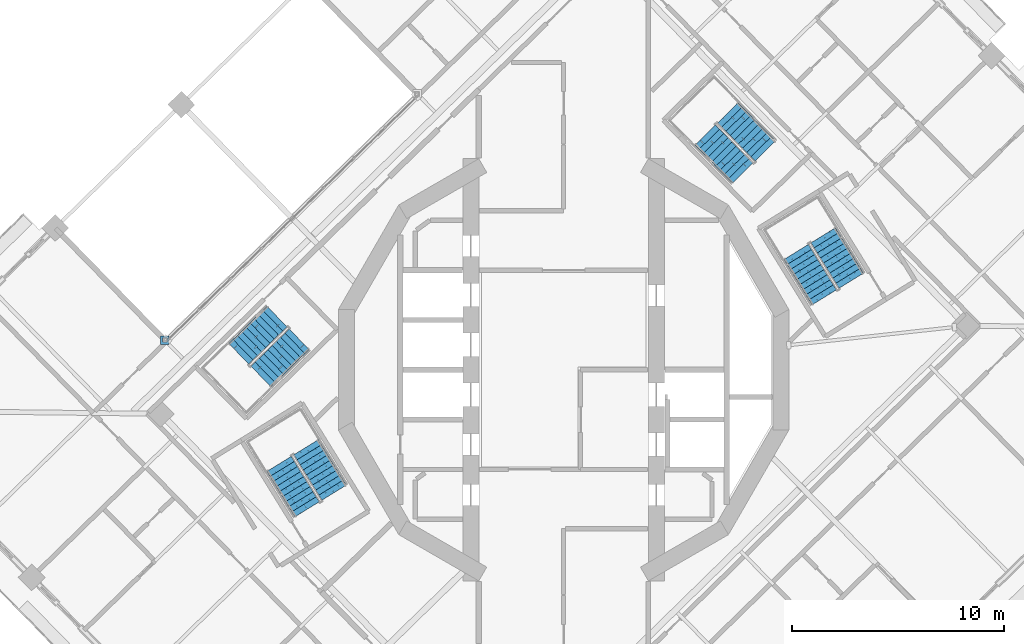
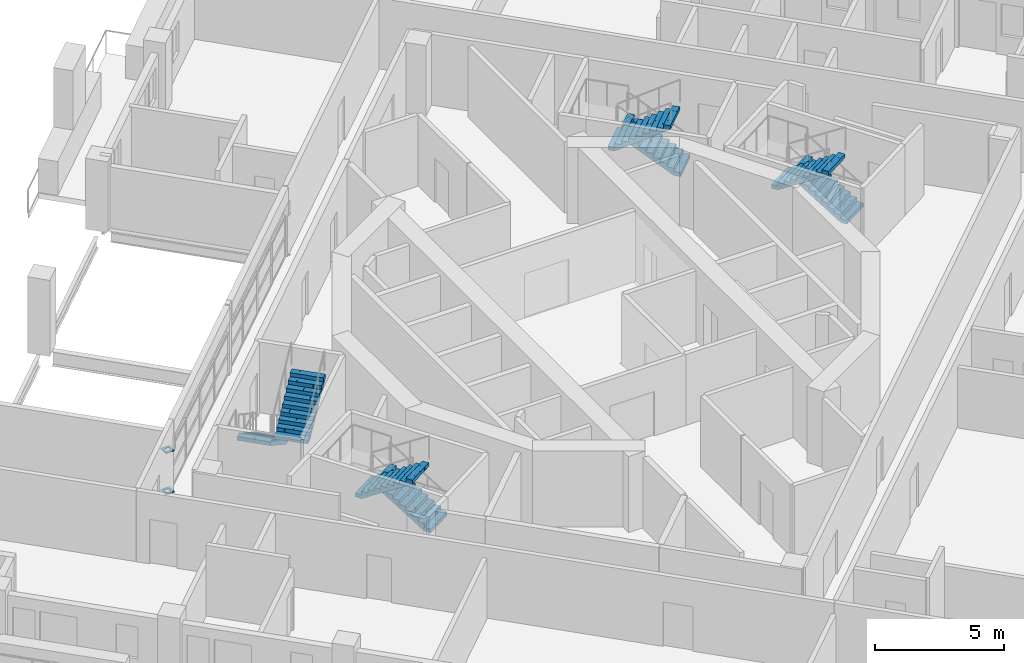
# One storey, part 14 of 21: 8 stair flights, 2 discrete accessories, 4 elements without a shape of their own.
"""IFC4 building model written with IfcOpenShell, lengths in metres."""

from ifc_helpers import new_model, si_unit, direction, frame, origin, place, context, subcontext, project, spatial, polyline, outline, extrude, material, layer, layer_set, type_object, element, aggregate, save


model = new_model("IFC4")

# Units and contexts
model_context = context("Model", 3, precision=1e-05, world=origin(), true_north=direction((0.0, 1.0)))
body_context = subcontext(model_context, "Body", "Model", "MODEL_VIEW")
ifc_project = project(units=[si_unit("LENGTHUNIT", "METRE"), si_unit("AREAUNIT", "SQUARE_METRE"), si_unit("VOLUMEUNIT", "CUBIC_METRE"), si_unit("PLANEANGLEUNIT", "RADIAN"), si_unit("MASSUNIT", "GRAM", prefix="KILO")], contexts=[model_context])

# Site, building, storey
site_placement = place(None, origin())
site = spatial("IfcSite", under=ifc_project, at=site_placement, CompositionType="ELEMENT")
building_placement = place(site_placement, origin())
building = spatial("IfcBuilding", under=site, at=building_placement, Name="Cantera Rosa Tower", CompositionType="ELEMENT")
storey_placement = place(building_placement, frame((0.0, 0.0, 230.60009765625)))
storey = spatial("IfcBuildingStorey", under=building, at=storey_placement, Name="L50", CompositionType="ELEMENT", Elevation=230.60009765625)

# Stair, stair flights
ifc_material_1 = material(Name="Concrete C35/45", Category="concrete")
stair_type = type_object("IfcStairType", Name="EXIT STAIR 1350 DOGLEG", PredefinedType="HALF_TURN_STAIR", material=ifc_material_1)
stair_1_placement = place(storey_placement, origin())
stair_1 = element("IfcStair", 1, at=stair_1_placement, inside=storey, type_object=stair_type, Name="L50 ST-41", PredefinedType="HALF_TURN_STAIR")
ifc_material_2 = material(Name="Concrete C35/45", Category="concrete")
stair_flight_type = type_object("IfcStairFlightType", Name="STAIR FLIGHT 1350 R20x180", PredefinedType="STRAIGHT", material=ifc_material_2)
stair_flight_1_placement = place(storey_placement, frame((13.5732421875, 4.2021484375, 0.0), z_axis=(0.0, 0.0, 1.0), x_axis=(-0.524976585286, 0.851116669383, 0.0)))
stair_flight_1 = element("IfcStairFlight", 2, at=stair_flight_1_placement, type_object=stair_flight_type, Name="ST-41 flight 1", NumberOfRisers=10, NumberOfTreads=9, PredefinedType="STRAIGHT", RiserHeight=0.18, TreadLength=0.28, context=body_context, shape_type="SweptSolid", body=[
    extrude(outline(polyline([(0.0, 0.0), (0.0, 0.179931640625), (0.280029296875, 0.179931640625), (0.280029296875, 0.360107421875), (0.56005859375, 0.360107421875), (0.56005859375, 0.5400390625), (0.840087890625, 0.5400390625), (0.840087890625, 0.719970703125), (1.1201171875, 0.719970703125), (1.1201171875, 0.89990234375), (1.39990234375, 0.89990234375), (1.39990234375, 1.080078125), (1.679931640625, 1.080078125), (1.679931640625, 1.260009765625), (1.9599609375, 1.260009765625), (1.9599609375, 1.43994140625), (2.239990234375, 1.43994140625), (2.239990234375, 1.6201171875), (2.52001953125, 1.6201171875), (2.52001953125, 1.800048828125), (2.52001953125, 1.44189453125), (0.277099609375, 0.0), (0.0, 0.0)])), frame((0.0, 0.675048828125, 0.0), z_axis=(0.0, -1.0, 0.0), x_axis=(1.0, 0.0, 0.0)), (0.0, 0.0, 1.0), 0.3359375),
    extrude(outline(polyline([(0.0, 0.0), (0.0, 0.179931640625), (0.280029296875, 0.179931640625), (0.280029296875, 0.360107421875), (0.56005859375, 0.360107421875), (0.56005859375, 0.5400390625), (0.840087890625, 0.5400390625), (0.840087890625, 0.719970703125), (1.1201171875, 0.719970703125), (1.1201171875, 0.89990234375), (1.39990234375, 0.89990234375), (1.39990234375, 1.080078125), (1.679931640625, 1.080078125), (1.679931640625, 1.260009765625), (1.9599609375, 1.260009765625), (1.9599609375, 1.43994140625), (2.239990234375, 1.43994140625), (2.239990234375, 1.6201171875), (2.52001953125, 1.6201171875), (2.52001953125, 1.800048828125), (2.52001953125, 1.44189453125), (0.277099609375, 0.0), (0.0, 0.0)])), frame((0.0, 0.337158203125, 0.0), z_axis=(0.0, -1.0, 0.0), x_axis=(1.0, 0.0, 0.0)), (0.0, 0.0, 1.0), 0.3359375),
    extrude(outline(polyline([(0.0, 0.0), (0.0, 0.179931640625), (0.280029296875, 0.179931640625), (0.280029296875, 0.360107421875), (0.56005859375, 0.360107421875), (0.56005859375, 0.5400390625), (0.840087890625, 0.5400390625), (0.840087890625, 0.719970703125), (1.1201171875, 0.719970703125), (1.1201171875, 0.89990234375), (1.39990234375, 0.89990234375), (1.39990234375, 1.080078125), (1.679931640625, 1.080078125), (1.679931640625, 1.260009765625), (1.9599609375, 1.260009765625), (1.9599609375, 1.43994140625), (2.239990234375, 1.43994140625), (2.239990234375, 1.6201171875), (2.52001953125, 1.6201171875), (2.52001953125, 1.800048828125), (2.52001953125, 1.44189453125), (0.277099609375, 0.0), (0.0, 0.0)])), frame((0.0, -0.000732421875, 0.0), z_axis=(0.0, -1.0, 0.0), x_axis=(1.0, 0.0, 0.0)), (0.0, 0.0, 1.0), 0.3359375),
    extrude(outline(polyline([(0.0, 0.0), (0.0, 0.179931640625), (0.280029296875, 0.179931640625), (0.280029296875, 0.360107421875), (0.56005859375, 0.360107421875), (0.56005859375, 0.5400390625), (0.840087890625, 0.5400390625), (0.840087890625, 0.719970703125), (1.1201171875, 0.719970703125), (1.1201171875, 0.89990234375), (1.39990234375, 0.89990234375), (1.39990234375, 1.080078125), (1.679931640625, 1.080078125), (1.679931640625, 1.260009765625), (1.9599609375, 1.260009765625), (1.9599609375, 1.43994140625), (2.239990234375, 1.43994140625), (2.239990234375, 1.6201171875), (2.52001953125, 1.6201171875), (2.52001953125, 1.800048828125), (2.52001953125, 1.44189453125), (0.277099609375, 0.0), (0.0, 0.0)])), frame((0.0, -0.338623046875, 0.0), z_axis=(0.0, -1.0, 0.0), x_axis=(1.0, 0.0, 0.0)), (0.0, 0.0, 1.0), 0.3359375),
])
stair_flight_2_placement = place(storey_placement, frame((10.9736328125, 5.5595703125, 1.7998046875), z_axis=(0.0, 0.0, 1.0), x_axis=(0.524976585286, -0.851116669383, 0.0)))
stair_flight_2 = element("IfcStairFlight", 3, at=stair_flight_2_placement, type_object=stair_flight_type, Name="ST-41 flight 2", NumberOfRisers=10, NumberOfTreads=9, PredefinedType="STRAIGHT", RiserHeight=0.18, TreadLength=0.28, context=body_context, shape_type="SweptSolid", body=[
    extrude(outline(polyline([(0.0, 0.0), (0.0, 0.179931640625), (0.280029296875, 0.179931640625), (0.280029296875, 0.360107421875), (0.56005859375, 0.360107421875), (0.56005859375, 0.5400390625), (0.840087890625, 0.5400390625), (0.840087890625, 0.719970703125), (1.1201171875, 0.719970703125), (1.1201171875, 0.89990234375), (1.39990234375, 0.89990234375), (1.39990234375, 1.080078125), (1.679931640625, 1.080078125), (1.679931640625, 1.260009765625), (1.9599609375, 1.260009765625), (1.9599609375, 1.43994140625), (2.239990234375, 1.43994140625), (2.239990234375, 1.6201171875), (2.52001953125, 1.6201171875), (2.52001953125, 1.800048828125), (2.52001953125, 1.44189453125), (0.277099609375, 0.0), (0.0, 0.0)])), frame((0.0, 0.675048828125, 0.0), z_axis=(0.0, -1.0, 0.0), x_axis=(1.0, 0.0, 0.0)), (0.0, 0.0, 1.0), 0.3359375),
    extrude(outline(polyline([(0.0, 0.0), (0.0, 0.179931640625), (0.280029296875, 0.179931640625), (0.280029296875, 0.360107421875), (0.56005859375, 0.360107421875), (0.56005859375, 0.5400390625), (0.840087890625, 0.5400390625), (0.840087890625, 0.719970703125), (1.1201171875, 0.719970703125), (1.1201171875, 0.89990234375), (1.39990234375, 0.89990234375), (1.39990234375, 1.080078125), (1.679931640625, 1.080078125), (1.679931640625, 1.260009765625), (1.9599609375, 1.260009765625), (1.9599609375, 1.43994140625), (2.239990234375, 1.43994140625), (2.239990234375, 1.6201171875), (2.52001953125, 1.6201171875), (2.52001953125, 1.800048828125), (2.52001953125, 1.44189453125), (0.277099609375, 0.0), (0.0, 0.0)])), frame((0.0, 0.337158203125, 0.0), z_axis=(0.0, -1.0, 0.0), x_axis=(1.0, 0.0, 0.0)), (0.0, 0.0, 1.0), 0.3359375),
    extrude(outline(polyline([(0.0, 0.0), (0.0, 0.179931640625), (0.280029296875, 0.179931640625), (0.280029296875, 0.360107421875), (0.56005859375, 0.360107421875), (0.56005859375, 0.5400390625), (0.840087890625, 0.5400390625), (0.840087890625, 0.719970703125), (1.1201171875, 0.719970703125), (1.1201171875, 0.89990234375), (1.39990234375, 0.89990234375), (1.39990234375, 1.080078125), (1.679931640625, 1.080078125), (1.679931640625, 1.260009765625), (1.9599609375, 1.260009765625), (1.9599609375, 1.43994140625), (2.239990234375, 1.43994140625), (2.239990234375, 1.6201171875), (2.52001953125, 1.6201171875), (2.52001953125, 1.800048828125), (2.52001953125, 1.44189453125), (0.277099609375, 0.0), (0.0, 0.0)])), frame((0.0, -0.000732421875, 0.0), z_axis=(0.0, -1.0, 0.0), x_axis=(1.0, 0.0, 0.0)), (0.0, 0.0, 1.0), 0.3359375),
    extrude(outline(polyline([(0.0, 0.0), (0.0, 0.179931640625), (0.280029296875, 0.179931640625), (0.280029296875, 0.360107421875), (0.56005859375, 0.360107421875), (0.56005859375, 0.5400390625), (0.840087890625, 0.5400390625), (0.840087890625, 0.719970703125), (1.1201171875, 0.719970703125), (1.1201171875, 0.89990234375), (1.39990234375, 0.89990234375), (1.39990234375, 1.080078125), (1.679931640625, 1.080078125), (1.679931640625, 1.260009765625), (1.9599609375, 1.260009765625), (1.9599609375, 1.43994140625), (2.239990234375, 1.43994140625), (2.239990234375, 1.6201171875), (2.52001953125, 1.6201171875), (2.52001953125, 1.800048828125), (2.52001953125, 1.44189453125), (0.277099609375, 0.0), (0.0, 0.0)])), frame((0.0, -0.338623046875, 0.0), z_axis=(0.0, -1.0, 0.0), x_axis=(1.0, 0.0, 0.0)), (0.0, 0.0, 1.0), 0.3359375),
])
aggregate(stair_1, [stair_flight_1, stair_flight_2])

stair_2_placement = place(storey_placement, origin())
stair_2 = element("IfcStair", 4, at=stair_2_placement, inside=storey, type_object=stair_type, Name="L50 ST-42", PredefinedType="HALF_TURN_STAIR")
stair_flight_3_placement = place(storey_placement, frame((9.514892578125, 10.32275390625, 0.0), z_axis=(0.0, 0.0, 1.0), x_axis=(-0.698831536207, 0.715286295132, 0.0)))
stair_flight_3 = element("IfcStairFlight", 5, at=stair_flight_3_placement, type_object=stair_flight_type, Name="ST-42 flight 1", NumberOfRisers=10, NumberOfTreads=9, PredefinedType="STRAIGHT", RiserHeight=0.18, TreadLength=0.28, context=body_context, shape_type="SweptSolid", body=[
    extrude(outline(polyline([(0.0, 0.0), (0.0, 0.179931640625), (0.280029296875, 0.179931640625), (0.280029296875, 0.360107421875), (0.56005859375, 0.360107421875), (0.56005859375, 0.5400390625), (0.840087890625, 0.5400390625), (0.840087890625, 0.719970703125), (1.1201171875, 0.719970703125), (1.1201171875, 0.89990234375), (1.39990234375, 0.89990234375), (1.39990234375, 1.080078125), (1.679931640625, 1.080078125), (1.679931640625, 1.260009765625), (1.9599609375, 1.260009765625), (1.9599609375, 1.43994140625), (2.239990234375, 1.43994140625), (2.239990234375, 1.6201171875), (2.52001953125, 1.6201171875), (2.52001953125, 1.800048828125), (2.52001953125, 1.44189453125), (0.277099609375, 0.0), (0.0, 0.0)])), frame((0.0, 0.675048828125, 0.0), z_axis=(0.0, -1.0, 0.0), x_axis=(1.0, 0.0, 0.0)), (0.0, 0.0, 1.0), 0.3359375),
    extrude(outline(polyline([(0.0, 0.0), (0.0, 0.179931640625), (0.280029296875, 0.179931640625), (0.280029296875, 0.360107421875), (0.56005859375, 0.360107421875), (0.56005859375, 0.5400390625), (0.840087890625, 0.5400390625), (0.840087890625, 0.719970703125), (1.1201171875, 0.719970703125), (1.1201171875, 0.89990234375), (1.39990234375, 0.89990234375), (1.39990234375, 1.080078125), (1.679931640625, 1.080078125), (1.679931640625, 1.260009765625), (1.9599609375, 1.260009765625), (1.9599609375, 1.43994140625), (2.239990234375, 1.43994140625), (2.239990234375, 1.6201171875), (2.52001953125, 1.6201171875), (2.52001953125, 1.800048828125), (2.52001953125, 1.44189453125), (0.277099609375, 0.0), (0.0, 0.0)])), frame((0.0, 0.337158203125, 0.0), z_axis=(0.0, -1.0, 0.0), x_axis=(1.0, 0.0, 0.0)), (0.0, 0.0, 1.0), 0.3359375),
    extrude(outline(polyline([(0.0, 0.0), (0.0, 0.179931640625), (0.280029296875, 0.179931640625), (0.280029296875, 0.360107421875), (0.56005859375, 0.360107421875), (0.56005859375, 0.5400390625), (0.840087890625, 0.5400390625), (0.840087890625, 0.719970703125), (1.1201171875, 0.719970703125), (1.1201171875, 0.89990234375), (1.39990234375, 0.89990234375), (1.39990234375, 1.080078125), (1.679931640625, 1.080078125), (1.679931640625, 1.260009765625), (1.9599609375, 1.260009765625), (1.9599609375, 1.43994140625), (2.239990234375, 1.43994140625), (2.239990234375, 1.6201171875), (2.52001953125, 1.6201171875), (2.52001953125, 1.800048828125), (2.52001953125, 1.44189453125), (0.277099609375, 0.0), (0.0, 0.0)])), frame((0.0, -0.000732421875, 0.0), z_axis=(0.0, -1.0, 0.0), x_axis=(1.0, 0.0, 0.0)), (0.0, 0.0, 1.0), 0.3359375),
    extrude(outline(polyline([(0.0, 0.0), (0.0, 0.179931640625), (0.280029296875, 0.179931640625), (0.280029296875, 0.360107421875), (0.56005859375, 0.360107421875), (0.56005859375, 0.5400390625), (0.840087890625, 0.5400390625), (0.840087890625, 0.719970703125), (1.1201171875, 0.719970703125), (1.1201171875, 0.89990234375), (1.39990234375, 0.89990234375), (1.39990234375, 1.080078125), (1.679931640625, 1.080078125), (1.679931640625, 1.260009765625), (1.9599609375, 1.260009765625), (1.9599609375, 1.43994140625), (2.239990234375, 1.43994140625), (2.239990234375, 1.6201171875), (2.52001953125, 1.6201171875), (2.52001953125, 1.800048828125), (2.52001953125, 1.44189453125), (0.277099609375, 0.0), (0.0, 0.0)])), frame((0.0, -0.338623046875, 0.0), z_axis=(0.0, -1.0, 0.0), x_axis=(1.0, 0.0, 0.0)), (0.0, 0.0, 1.0), 0.3359375),
])
stair_flight_4_placement = place(storey_placement, frame((6.680908203125, 11.076904296875, 1.7998046875), z_axis=(0.0, 0.0, 1.0), x_axis=(0.698831536207, -0.715286295132, 0.0)))
stair_flight_4 = element("IfcStairFlight", 6, at=stair_flight_4_placement, type_object=stair_flight_type, Name="ST-42 flight 2", NumberOfRisers=10, NumberOfTreads=9, PredefinedType="STRAIGHT", RiserHeight=0.18, TreadLength=0.28, context=body_context, shape_type="SweptSolid", body=[
    extrude(outline(polyline([(0.0, 0.0), (0.0, 0.179931640625), (0.280029296875, 0.179931640625), (0.280029296875, 0.360107421875), (0.56005859375, 0.360107421875), (0.56005859375, 0.5400390625), (0.840087890625, 0.5400390625), (0.840087890625, 0.719970703125), (1.1201171875, 0.719970703125), (1.1201171875, 0.89990234375), (1.39990234375, 0.89990234375), (1.39990234375, 1.080078125), (1.679931640625, 1.080078125), (1.679931640625, 1.260009765625), (1.9599609375, 1.260009765625), (1.9599609375, 1.43994140625), (2.239990234375, 1.43994140625), (2.239990234375, 1.6201171875), (2.52001953125, 1.6201171875), (2.52001953125, 1.800048828125), (2.52001953125, 1.44189453125), (0.277099609375, 0.0), (0.0, 0.0)])), frame((0.0, 0.675048828125, 0.0), z_axis=(0.0, -1.0, 0.0), x_axis=(1.0, 0.0, 0.0)), (0.0, 0.0, 1.0), 0.3359375),
    extrude(outline(polyline([(0.0, 0.0), (0.0, 0.179931640625), (0.280029296875, 0.179931640625), (0.280029296875, 0.360107421875), (0.56005859375, 0.360107421875), (0.56005859375, 0.5400390625), (0.840087890625, 0.5400390625), (0.840087890625, 0.719970703125), (1.1201171875, 0.719970703125), (1.1201171875, 0.89990234375), (1.39990234375, 0.89990234375), (1.39990234375, 1.080078125), (1.679931640625, 1.080078125), (1.679931640625, 1.260009765625), (1.9599609375, 1.260009765625), (1.9599609375, 1.43994140625), (2.239990234375, 1.43994140625), (2.239990234375, 1.6201171875), (2.52001953125, 1.6201171875), (2.52001953125, 1.800048828125), (2.52001953125, 1.44189453125), (0.277099609375, 0.0), (0.0, 0.0)])), frame((0.0, 0.337158203125, 0.0), z_axis=(0.0, -1.0, 0.0), x_axis=(1.0, 0.0, 0.0)), (0.0, 0.0, 1.0), 0.3359375),
    extrude(outline(polyline([(0.0, 0.0), (0.0, 0.179931640625), (0.280029296875, 0.179931640625), (0.280029296875, 0.360107421875), (0.56005859375, 0.360107421875), (0.56005859375, 0.5400390625), (0.840087890625, 0.5400390625), (0.840087890625, 0.719970703125), (1.1201171875, 0.719970703125), (1.1201171875, 0.89990234375), (1.39990234375, 0.89990234375), (1.39990234375, 1.080078125), (1.679931640625, 1.080078125), (1.679931640625, 1.260009765625), (1.9599609375, 1.260009765625), (1.9599609375, 1.43994140625), (2.239990234375, 1.43994140625), (2.239990234375, 1.6201171875), (2.52001953125, 1.6201171875), (2.52001953125, 1.800048828125), (2.52001953125, 1.44189453125), (0.277099609375, 0.0), (0.0, 0.0)])), frame((0.0, -0.000732421875, 0.0), z_axis=(0.0, -1.0, 0.0), x_axis=(1.0, 0.0, 0.0)), (0.0, 0.0, 1.0), 0.3359375),
    extrude(outline(polyline([(0.0, 0.0), (0.0, 0.179931640625), (0.280029296875, 0.179931640625), (0.280029296875, 0.360107421875), (0.56005859375, 0.360107421875), (0.56005859375, 0.5400390625), (0.840087890625, 0.5400390625), (0.840087890625, 0.719970703125), (1.1201171875, 0.719970703125), (1.1201171875, 0.89990234375), (1.39990234375, 0.89990234375), (1.39990234375, 1.080078125), (1.679931640625, 1.080078125), (1.679931640625, 1.260009765625), (1.9599609375, 1.260009765625), (1.9599609375, 1.43994140625), (2.239990234375, 1.43994140625), (2.239990234375, 1.6201171875), (2.52001953125, 1.6201171875), (2.52001953125, 1.800048828125), (2.52001953125, 1.44189453125), (0.277099609375, 0.0), (0.0, 0.0)])), frame((0.0, -0.338623046875, 0.0), z_axis=(0.0, -1.0, 0.0), x_axis=(1.0, 0.0, 0.0)), (0.0, 0.0, 1.0), 0.3359375),
])
aggregate(stair_2, [stair_flight_3, stair_flight_4])

stair_3_placement = place(storey_placement, origin())
stair_3 = element("IfcStair", 7, at=stair_3_placement, inside=storey, type_object=stair_type, Name="L50 ST-43", PredefinedType="HALF_TURN_STAIR")
stair_flight_5_placement = place(storey_placement, frame((-13.522705078125, 2.514892578125, 0.0), z_axis=(0.0, 0.0, 1.0), x_axis=(-0.715286295132, -0.698831536207, 0.0)))
stair_flight_5 = element("IfcStairFlight", 8, at=stair_flight_5_placement, type_object=stair_flight_type, Name="ST-43 flight 1", NumberOfRisers=10, NumberOfTreads=9, PredefinedType="STRAIGHT", RiserHeight=0.18, TreadLength=0.28, context=body_context, shape_type="SweptSolid", body=[
    extrude(outline(polyline([(0.0, 0.0), (0.0, 0.179931640625), (0.280029296875, 0.179931640625), (0.280029296875, 0.360107421875), (0.56005859375, 0.360107421875), (0.56005859375, 0.5400390625), (0.840087890625, 0.5400390625), (0.840087890625, 0.719970703125), (1.1201171875, 0.719970703125), (1.1201171875, 0.89990234375), (1.39990234375, 0.89990234375), (1.39990234375, 1.080078125), (1.679931640625, 1.080078125), (1.679931640625, 1.260009765625), (1.9599609375, 1.260009765625), (1.9599609375, 1.43994140625), (2.239990234375, 1.43994140625), (2.239990234375, 1.6201171875), (2.52001953125, 1.6201171875), (2.52001953125, 1.800048828125), (2.52001953125, 1.44189453125), (0.277099609375, 0.0), (0.0, 0.0)])), frame((0.0, 0.675048828125, 0.0), z_axis=(0.0, -1.0, 0.0), x_axis=(1.0, 0.0, 0.0)), (0.0, 0.0, 1.0), 0.3359375),
    extrude(outline(polyline([(0.0, 0.0), (0.0, 0.179931640625), (0.280029296875, 0.179931640625), (0.280029296875, 0.360107421875), (0.56005859375, 0.360107421875), (0.56005859375, 0.5400390625), (0.840087890625, 0.5400390625), (0.840087890625, 0.719970703125), (1.1201171875, 0.719970703125), (1.1201171875, 0.89990234375), (1.39990234375, 0.89990234375), (1.39990234375, 1.080078125), (1.679931640625, 1.080078125), (1.679931640625, 1.260009765625), (1.9599609375, 1.260009765625), (1.9599609375, 1.43994140625), (2.239990234375, 1.43994140625), (2.239990234375, 1.6201171875), (2.52001953125, 1.6201171875), (2.52001953125, 1.800048828125), (2.52001953125, 1.44189453125), (0.277099609375, 0.0), (0.0, 0.0)])), frame((0.0, 0.337158203125, 0.0), z_axis=(0.0, -1.0, 0.0), x_axis=(1.0, 0.0, 0.0)), (0.0, 0.0, 1.0), 0.3359375),
    extrude(outline(polyline([(0.0, 0.0), (0.0, 0.179931640625), (0.280029296875, 0.179931640625), (0.280029296875, 0.360107421875), (0.56005859375, 0.360107421875), (0.56005859375, 0.5400390625), (0.840087890625, 0.5400390625), (0.840087890625, 0.719970703125), (1.1201171875, 0.719970703125), (1.1201171875, 0.89990234375), (1.39990234375, 0.89990234375), (1.39990234375, 1.080078125), (1.679931640625, 1.080078125), (1.679931640625, 1.260009765625), (1.9599609375, 1.260009765625), (1.9599609375, 1.43994140625), (2.239990234375, 1.43994140625), (2.239990234375, 1.6201171875), (2.52001953125, 1.6201171875), (2.52001953125, 1.800048828125), (2.52001953125, 1.44189453125), (0.277099609375, 0.0), (0.0, 0.0)])), frame((0.0, -0.000732421875, 0.0), z_axis=(0.0, -1.0, 0.0), x_axis=(1.0, 0.0, 0.0)), (0.0, 0.0, 1.0), 0.3359375),
    extrude(outline(polyline([(0.0, 0.0), (0.0, 0.179931640625), (0.280029296875, 0.179931640625), (0.280029296875, 0.360107421875), (0.56005859375, 0.360107421875), (0.56005859375, 0.5400390625), (0.840087890625, 0.5400390625), (0.840087890625, 0.719970703125), (1.1201171875, 0.719970703125), (1.1201171875, 0.89990234375), (1.39990234375, 0.89990234375), (1.39990234375, 1.080078125), (1.679931640625, 1.080078125), (1.679931640625, 1.260009765625), (1.9599609375, 1.260009765625), (1.9599609375, 1.43994140625), (2.239990234375, 1.43994140625), (2.239990234375, 1.6201171875), (2.52001953125, 1.6201171875), (2.52001953125, 1.800048828125), (2.52001953125, 1.44189453125), (0.277099609375, 0.0), (0.0, 0.0)])), frame((0.0, -0.338623046875, 0.0), z_axis=(0.0, -1.0, 0.0), x_axis=(1.0, 0.0, 0.0)), (0.0, 0.0, 1.0), 0.3359375),
])
stair_flight_6_placement = place(storey_placement, frame((-14.277099609375, -0.319091796875, 1.7998046875), z_axis=(0.0, 0.0, 1.0), x_axis=(0.715286295132, 0.698831536207, 0.0)))
stair_flight_6 = element("IfcStairFlight", 9, at=stair_flight_6_placement, type_object=stair_flight_type, Name="ST-43 flight 2", NumberOfRisers=10, NumberOfTreads=9, PredefinedType="STRAIGHT", RiserHeight=0.18, TreadLength=0.28, context=body_context, shape_type="SweptSolid", body=[
    extrude(outline(polyline([(0.0, 0.0), (0.0, 0.179931640625), (0.280029296875, 0.179931640625), (0.280029296875, 0.360107421875), (0.56005859375, 0.360107421875), (0.56005859375, 0.5400390625), (0.840087890625, 0.5400390625), (0.840087890625, 0.719970703125), (1.1201171875, 0.719970703125), (1.1201171875, 0.89990234375), (1.39990234375, 0.89990234375), (1.39990234375, 1.080078125), (1.679931640625, 1.080078125), (1.679931640625, 1.260009765625), (1.9599609375, 1.260009765625), (1.9599609375, 1.43994140625), (2.239990234375, 1.43994140625), (2.239990234375, 1.6201171875), (2.52001953125, 1.6201171875), (2.52001953125, 1.800048828125), (2.52001953125, 1.44189453125), (0.277099609375, 0.0), (0.0, 0.0)])), frame((0.0, 0.675048828125, 0.0), z_axis=(0.0, -1.0, 0.0), x_axis=(1.0, 0.0, 0.0)), (0.0, 0.0, 1.0), 0.3359375),
    extrude(outline(polyline([(0.0, 0.0), (0.0, 0.179931640625), (0.280029296875, 0.179931640625), (0.280029296875, 0.360107421875), (0.56005859375, 0.360107421875), (0.56005859375, 0.5400390625), (0.840087890625, 0.5400390625), (0.840087890625, 0.719970703125), (1.1201171875, 0.719970703125), (1.1201171875, 0.89990234375), (1.39990234375, 0.89990234375), (1.39990234375, 1.080078125), (1.679931640625, 1.080078125), (1.679931640625, 1.260009765625), (1.9599609375, 1.260009765625), (1.9599609375, 1.43994140625), (2.239990234375, 1.43994140625), (2.239990234375, 1.6201171875), (2.52001953125, 1.6201171875), (2.52001953125, 1.800048828125), (2.52001953125, 1.44189453125), (0.277099609375, 0.0), (0.0, 0.0)])), frame((0.0, 0.337158203125, 0.0), z_axis=(0.0, -1.0, 0.0), x_axis=(1.0, 0.0, 0.0)), (0.0, 0.0, 1.0), 0.3359375),
    extrude(outline(polyline([(0.0, 0.0), (0.0, 0.179931640625), (0.280029296875, 0.179931640625), (0.280029296875, 0.360107421875), (0.56005859375, 0.360107421875), (0.56005859375, 0.5400390625), (0.840087890625, 0.5400390625), (0.840087890625, 0.719970703125), (1.1201171875, 0.719970703125), (1.1201171875, 0.89990234375), (1.39990234375, 0.89990234375), (1.39990234375, 1.080078125), (1.679931640625, 1.080078125), (1.679931640625, 1.260009765625), (1.9599609375, 1.260009765625), (1.9599609375, 1.43994140625), (2.239990234375, 1.43994140625), (2.239990234375, 1.6201171875), (2.52001953125, 1.6201171875), (2.52001953125, 1.800048828125), (2.52001953125, 1.44189453125), (0.277099609375, 0.0), (0.0, 0.0)])), frame((0.0, -0.000732421875, 0.0), z_axis=(0.0, -1.0, 0.0), x_axis=(1.0, 0.0, 0.0)), (0.0, 0.0, 1.0), 0.3359375),
    extrude(outline(polyline([(0.0, 0.0), (0.0, 0.179931640625), (0.280029296875, 0.179931640625), (0.280029296875, 0.360107421875), (0.56005859375, 0.360107421875), (0.56005859375, 0.5400390625), (0.840087890625, 0.5400390625), (0.840087890625, 0.719970703125), (1.1201171875, 0.719970703125), (1.1201171875, 0.89990234375), (1.39990234375, 0.89990234375), (1.39990234375, 1.080078125), (1.679931640625, 1.080078125), (1.679931640625, 1.260009765625), (1.9599609375, 1.260009765625), (1.9599609375, 1.43994140625), (2.239990234375, 1.43994140625), (2.239990234375, 1.6201171875), (2.52001953125, 1.6201171875), (2.52001953125, 1.800048828125), (2.52001953125, 1.44189453125), (0.277099609375, 0.0), (0.0, 0.0)])), frame((0.0, -0.338623046875, 0.0), z_axis=(0.0, -1.0, 0.0), x_axis=(1.0, 0.0, 0.0)), (0.0, 0.0, 1.0), 0.3359375),
])
aggregate(stair_3, [stair_flight_5, stair_flight_6])

stair_4_placement = place(storey_placement, origin())
stair_4 = element("IfcStair", 10, at=stair_4_placement, inside=storey, type_object=stair_type, Name="L50 ST-44", PredefinedType="HALF_TURN_STAIR")
stair_flight_7_placement = place(storey_placement, frame((-10.82666015625, -5.7978515625, 0.0), z_axis=(0.0, 0.0, 1.0), x_axis=(-0.524976585286, 0.851116669383, 0.0)))
stair_flight_7 = element("IfcStairFlight", 11, at=stair_flight_7_placement, type_object=stair_flight_type, Name="ST-44 flight 1", NumberOfRisers=10, NumberOfTreads=9, PredefinedType="STRAIGHT", RiserHeight=0.18, TreadLength=0.28, context=body_context, shape_type="SweptSolid", body=[
    extrude(outline(polyline([(0.0, 0.0), (0.0, 0.179931640625), (0.280029296875, 0.179931640625), (0.280029296875, 0.360107421875), (0.56005859375, 0.360107421875), (0.56005859375, 0.5400390625), (0.840087890625, 0.5400390625), (0.840087890625, 0.719970703125), (1.1201171875, 0.719970703125), (1.1201171875, 0.89990234375), (1.39990234375, 0.89990234375), (1.39990234375, 1.080078125), (1.679931640625, 1.080078125), (1.679931640625, 1.260009765625), (1.9599609375, 1.260009765625), (1.9599609375, 1.43994140625), (2.239990234375, 1.43994140625), (2.239990234375, 1.6201171875), (2.52001953125, 1.6201171875), (2.52001953125, 1.800048828125), (2.52001953125, 1.44189453125), (0.277099609375, 0.0), (0.0, 0.0)])), frame((0.0, 0.675048828125, 0.0), z_axis=(0.0, -1.0, 0.0), x_axis=(1.0, 0.0, 0.0)), (0.0, 0.0, 1.0), 0.3359375),
    extrude(outline(polyline([(0.0, 0.0), (0.0, 0.179931640625), (0.280029296875, 0.179931640625), (0.280029296875, 0.360107421875), (0.56005859375, 0.360107421875), (0.56005859375, 0.5400390625), (0.840087890625, 0.5400390625), (0.840087890625, 0.719970703125), (1.1201171875, 0.719970703125), (1.1201171875, 0.89990234375), (1.39990234375, 0.89990234375), (1.39990234375, 1.080078125), (1.679931640625, 1.080078125), (1.679931640625, 1.260009765625), (1.9599609375, 1.260009765625), (1.9599609375, 1.43994140625), (2.239990234375, 1.43994140625), (2.239990234375, 1.6201171875), (2.52001953125, 1.6201171875), (2.52001953125, 1.800048828125), (2.52001953125, 1.44189453125), (0.277099609375, 0.0), (0.0, 0.0)])), frame((0.0, 0.337158203125, 0.0), z_axis=(0.0, -1.0, 0.0), x_axis=(1.0, 0.0, 0.0)), (0.0, 0.0, 1.0), 0.3359375),
    extrude(outline(polyline([(0.0, 0.0), (0.0, 0.179931640625), (0.280029296875, 0.179931640625), (0.280029296875, 0.360107421875), (0.56005859375, 0.360107421875), (0.56005859375, 0.5400390625), (0.840087890625, 0.5400390625), (0.840087890625, 0.719970703125), (1.1201171875, 0.719970703125), (1.1201171875, 0.89990234375), (1.39990234375, 0.89990234375), (1.39990234375, 1.080078125), (1.679931640625, 1.080078125), (1.679931640625, 1.260009765625), (1.9599609375, 1.260009765625), (1.9599609375, 1.43994140625), (2.239990234375, 1.43994140625), (2.239990234375, 1.6201171875), (2.52001953125, 1.6201171875), (2.52001953125, 1.800048828125), (2.52001953125, 1.44189453125), (0.277099609375, 0.0), (0.0, 0.0)])), frame((0.0, -0.000732421875, 0.0), z_axis=(0.0, -1.0, 0.0), x_axis=(1.0, 0.0, 0.0)), (0.0, 0.0, 1.0), 0.3359375),
    extrude(outline(polyline([(0.0, 0.0), (0.0, 0.179931640625), (0.280029296875, 0.179931640625), (0.280029296875, 0.360107421875), (0.56005859375, 0.360107421875), (0.56005859375, 0.5400390625), (0.840087890625, 0.5400390625), (0.840087890625, 0.719970703125), (1.1201171875, 0.719970703125), (1.1201171875, 0.89990234375), (1.39990234375, 0.89990234375), (1.39990234375, 1.080078125), (1.679931640625, 1.080078125), (1.679931640625, 1.260009765625), (1.9599609375, 1.260009765625), (1.9599609375, 1.43994140625), (2.239990234375, 1.43994140625), (2.239990234375, 1.6201171875), (2.52001953125, 1.6201171875), (2.52001953125, 1.800048828125), (2.52001953125, 1.44189453125), (0.277099609375, 0.0), (0.0, 0.0)])), frame((0.0, -0.338623046875, 0.0), z_axis=(0.0, -1.0, 0.0), x_axis=(1.0, 0.0, 0.0)), (0.0, 0.0, 1.0), 0.3359375),
])
stair_flight_8_placement = place(storey_placement, frame((-13.42626953125, -4.4404296875, 1.7998046875), z_axis=(0.0, 0.0, 1.0), x_axis=(0.524976585286, -0.851116669383, 0.0)))
stair_flight_8 = element("IfcStairFlight", 12, at=stair_flight_8_placement, type_object=stair_flight_type, Name="ST-44 flight 2", NumberOfRisers=10, NumberOfTreads=9, PredefinedType="STRAIGHT", RiserHeight=0.18, TreadLength=0.28, context=body_context, shape_type="SweptSolid", body=[
    extrude(outline(polyline([(0.0, 0.0), (0.0, 0.179931640625), (0.280029296875, 0.179931640625), (0.280029296875, 0.360107421875), (0.56005859375, 0.360107421875), (0.56005859375, 0.5400390625), (0.840087890625, 0.5400390625), (0.840087890625, 0.719970703125), (1.1201171875, 0.719970703125), (1.1201171875, 0.89990234375), (1.39990234375, 0.89990234375), (1.39990234375, 1.080078125), (1.679931640625, 1.080078125), (1.679931640625, 1.260009765625), (1.9599609375, 1.260009765625), (1.9599609375, 1.43994140625), (2.239990234375, 1.43994140625), (2.239990234375, 1.6201171875), (2.52001953125, 1.6201171875), (2.52001953125, 1.800048828125), (2.52001953125, 1.44189453125), (0.277099609375, 0.0), (0.0, 0.0)])), frame((0.0, 0.675048828125, 0.0), z_axis=(0.0, -1.0, 0.0), x_axis=(1.0, 0.0, 0.0)), (0.0, 0.0, 1.0), 0.3359375),
    extrude(outline(polyline([(0.0, 0.0), (0.0, 0.179931640625), (0.280029296875, 0.179931640625), (0.280029296875, 0.360107421875), (0.56005859375, 0.360107421875), (0.56005859375, 0.5400390625), (0.840087890625, 0.5400390625), (0.840087890625, 0.719970703125), (1.1201171875, 0.719970703125), (1.1201171875, 0.89990234375), (1.39990234375, 0.89990234375), (1.39990234375, 1.080078125), (1.679931640625, 1.080078125), (1.679931640625, 1.260009765625), (1.9599609375, 1.260009765625), (1.9599609375, 1.43994140625), (2.239990234375, 1.43994140625), (2.239990234375, 1.6201171875), (2.52001953125, 1.6201171875), (2.52001953125, 1.800048828125), (2.52001953125, 1.44189453125), (0.277099609375, 0.0), (0.0, 0.0)])), frame((0.0, 0.337158203125, 0.0), z_axis=(0.0, -1.0, 0.0), x_axis=(1.0, 0.0, 0.0)), (0.0, 0.0, 1.0), 0.3359375),
    extrude(outline(polyline([(0.0, 0.0), (0.0, 0.179931640625), (0.280029296875, 0.179931640625), (0.280029296875, 0.360107421875), (0.56005859375, 0.360107421875), (0.56005859375, 0.5400390625), (0.840087890625, 0.5400390625), (0.840087890625, 0.719970703125), (1.1201171875, 0.719970703125), (1.1201171875, 0.89990234375), (1.39990234375, 0.89990234375), (1.39990234375, 1.080078125), (1.679931640625, 1.080078125), (1.679931640625, 1.260009765625), (1.9599609375, 1.260009765625), (1.9599609375, 1.43994140625), (2.239990234375, 1.43994140625), (2.239990234375, 1.6201171875), (2.52001953125, 1.6201171875), (2.52001953125, 1.800048828125), (2.52001953125, 1.44189453125), (0.277099609375, 0.0), (0.0, 0.0)])), frame((0.0, -0.000732421875, 0.0), z_axis=(0.0, -1.0, 0.0), x_axis=(1.0, 0.0, 0.0)), (0.0, 0.0, 1.0), 0.3359375),
    extrude(outline(polyline([(0.0, 0.0), (0.0, 0.179931640625), (0.280029296875, 0.179931640625), (0.280029296875, 0.360107421875), (0.56005859375, 0.360107421875), (0.56005859375, 0.5400390625), (0.840087890625, 0.5400390625), (0.840087890625, 0.719970703125), (1.1201171875, 0.719970703125), (1.1201171875, 0.89990234375), (1.39990234375, 0.89990234375), (1.39990234375, 1.080078125), (1.679931640625, 1.080078125), (1.679931640625, 1.260009765625), (1.9599609375, 1.260009765625), (1.9599609375, 1.43994140625), (2.239990234375, 1.43994140625), (2.239990234375, 1.6201171875), (2.52001953125, 1.6201171875), (2.52001953125, 1.800048828125), (2.52001953125, 1.44189453125), (0.277099609375, 0.0), (0.0, 0.0)])), frame((0.0, -0.338623046875, 0.0), z_axis=(0.0, -1.0, 0.0), x_axis=(1.0, 0.0, 0.0)), (0.0, 0.0, 1.0), 0.3359375),
])
aggregate(stair_4, [stair_flight_7, stair_flight_8])

# Discrete accessories
ifc_material_3 = material(Name="Steel ASTM A992 (Fy 345 MPa)", Category="steel")
ifc_layer = layer(ifc_material_3, 0.0400390625)
ifc_layer_set = layer_set([ifc_layer], Name="STEEL BEARING PLATE 40")
discrete_accessory_type = type_object("IfcDiscreteAccessoryType", Name="STEEL BEARING PLATE 40", PredefinedType="ANCHORPLATE", material=ifc_layer_set)
discrete_accessory_1_placement = place(storey_placement, origin())
element("IfcDiscreteAccessory", 13, at=discrete_accessory_1_placement, inside=storey, type_object=discrete_accessory_type, Name="POST PLATE L50-2F", PredefinedType="ANCHORPLATE", context=body_context, shape_type="SweptSolid", body=[
    extrude(outline(polyline([(-19.01513671875, 1.199951171875), (-18.615234375, 1.199951171875), (-18.615234375, 1.599853515625), (-19.01513671875, 1.599853515625), (-19.01513671875, 1.199951171875)]), holes=[polyline([(-18.915283203125, 1.2998046875), (-18.715087890625, 1.2998046875), (-18.715087890625, 1.5), (-18.915283203125, 1.5), (-18.915283203125, 1.2998046875)])]), origin(), (0.0, 0.0, 1.0), 0.039794921875),
])
discrete_accessory_2_placement = place(storey_placement, frame((0.0, 0.0, 1.949951171875)))
element("IfcDiscreteAccessory", 14, at=discrete_accessory_2_placement, inside=storey, type_object=discrete_accessory_type, Name="POST PLATE L50-2T", PredefinedType="ANCHORPLATE", context=body_context, shape_type="SweptSolid", body=[
    extrude(outline(polyline([(-19.01513671875, 1.199951171875), (-18.615234375, 1.199951171875), (-18.615234375, 1.599853515625), (-19.01513671875, 1.599853515625), (-19.01513671875, 1.199951171875)]), holes=[polyline([(-18.915283203125, 1.2998046875), (-18.715087890625, 1.2998046875), (-18.715087890625, 1.5), (-18.915283203125, 1.5), (-18.915283203125, 1.2998046875)])]), origin(), (0.0, 0.0, 1.0), 0.0400390625),
])

save(model, "model.ifc")
